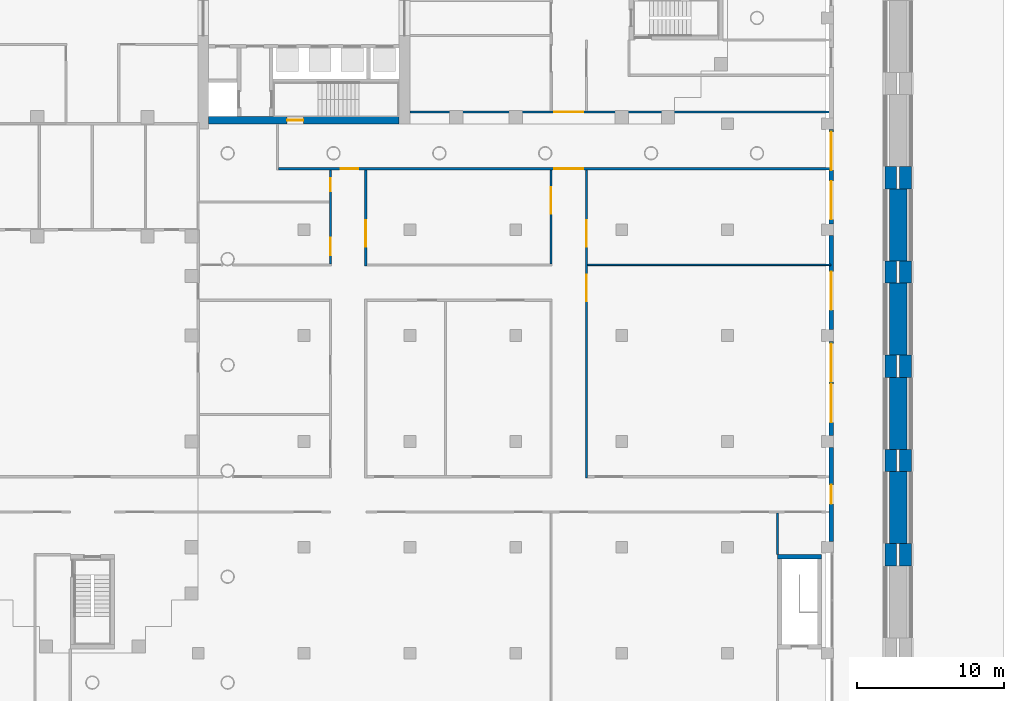
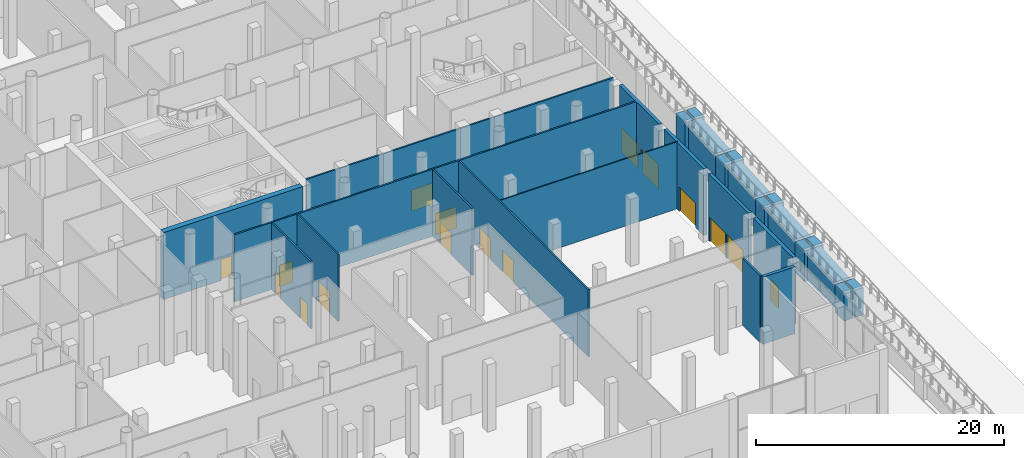
# One storey, part 20 of 44: 28 walls, 16 doors, 16 openings.
"""IFC4 building model written with IfcOpenShell, lengths in metres."""

from ifc_helpers import new_model, si_unit, direction, frame, frame_2d, origin, place, context, subcontext, project, spatial, polyline, rectangle, outline, extrude, material, layer, layer_set, type_object, element, fill, save


model = new_model("IFC4")

# Units and contexts
model_context = context("Model", 3, precision=1e-05, world=origin(), true_north=direction((0.0, 1.0)))
body_context = subcontext(model_context, "Body", "Model", "MODEL_VIEW")
ifc_project = project(units=[si_unit("LENGTHUNIT", "METRE"), si_unit("AREAUNIT", "SQUARE_METRE"), si_unit("VOLUMEUNIT", "CUBIC_METRE"), si_unit("PLANEANGLEUNIT", "RADIAN"), si_unit("MASSUNIT", "GRAM", prefix="KILO")], contexts=[model_context])

# Site, building, storey
site_placement = place(None, origin())
site = spatial("IfcSite", under=ifc_project, at=site_placement, CompositionType="ELEMENT")
building_placement = place(site_placement, origin())
building = spatial("IfcBuilding", under=site, at=building_placement, Name="Fustian Cross Tower", CompositionType="ELEMENT")
storey_placement = place(building_placement, origin())
storey = spatial("IfcBuildingStorey", under=building, at=storey_placement, Name="L00", CompositionType="ELEMENT", Elevation=0.0)

# Wall, openings, doors
ifc_material_1 = material(Name="Plasterboard on steel stud", Category="steel")
ifc_layer_1 = layer(ifc_material_1, 0.14990234375)
ifc_layer_set_1 = layer_set([ifc_layer_1], Name="Plasterboard on steel stud")
wall_type_1 = type_object("IfcWallType", Name="COMPARTMENT WALL 150 EI 60", PredefinedType="PARTITIONING", material=ifc_layer_set_1)
wall_1_placement = place(storey_placement, frame((12.675048828125, -10.25, 0.0), z_axis=(0.0, 0.0, 1.0), x_axis=(1.0, 0.0, 0.0)))
wall_1 = element("IfcWall", 1, at=wall_1_placement, inside=storey, type_object=wall_type_1, Name="Partition 106", PredefinedType="PARTITIONING", context=body_context, shape_type="SweptSolid", body=[
    extrude(rectangle(XDim=37.544921875, YDim=0.14990234375, at=frame_2d((18.7724609375, 0.0))), origin(), (0.0, 0.0, 1.0), 6.60009765625),
])
opening_1_placement = place(wall_1_placement, frame((4.22509765625, 0.0, 0.0)))
opening_1 = element("IfcOpeningElement", 2, at=opening_1_placement, cuts=wall_1, Name="Opening D02018", PredefinedType="OPENING", context=body_context, shape_type="SweptSolid", body=[
    extrude(rectangle(XDim=1.199951171875, YDim=2.10009765625, at=frame_2d((0.60009765625, 1.050048828125))), frame((0.0, 0.0849609375, 0.0), z_axis=(0.0, -1.0, 0.0), x_axis=(1.0, 0.0, 0.0)), (0.0, 0.0, 1.0), 0.169921875),
])
opening_2_placement = place(wall_1_placement, frame((18.72509765625, 0.0, 0.0)))
opening_2 = element("IfcOpeningElement", 3, at=opening_2_placement, cuts=wall_1, Name="Opening D02019", PredefinedType="OPENING", context=body_context, shape_type="SweptSolid", body=[
    extrude(rectangle(XDim=2.0, YDim=2.10009765625, at=frame_2d((1.0, 1.050048828125))), frame((0.0, 0.0849609375, 0.0), z_axis=(0.0, -1.0, 0.0), x_axis=(1.0, 0.0, 0.0)), (0.0, 0.0, 1.0), 0.169921875),
])
ifc_material_2 = material(Name="Timber fire door set", Category="wood")
door_type_1 = type_object("IfcDoorType", Name="FIRE DOUBLE DOOR 2000 FD30S", OperationType="DOUBLE_DOOR_DOUBLE_SWING", PredefinedType="DOOR", material=ifc_material_2)
door_1_placement = place(opening_2_placement, frame((2.0, 0.0, 0.0), z_axis=(0.0, 0.0, 1.0), x_axis=(-1.0, 0.0, 0.0)))
door_1 = element("IfcDoor", 4, at=door_1_placement, inside=storey, type_object=door_type_1, Name="Door D02019", OperationType="DOUBLE_DOOR_DOUBLE_SWING", OverallHeight=2.10009765625, OverallWidth=2.0, PredefinedType="DOOR", context=body_context, shape_type="SweptSolid", body=[
    extrude(rectangle(XDim=2.0, YDim=2.10009765625, at=frame_2d((1.0, 1.050048828125))), frame((0.0, 0.02490234375, 0.0), z_axis=(0.0, -1.0, 0.0), x_axis=(1.0, 0.0, 0.0)), (0.0, 0.0, 1.0), 0.050048828125),
])
fill(opening_2, door_1)
ifc_material_3 = material(Name="Timber fire door set", Category="wood")
door_type_2 = type_object("IfcDoorType", Name="FIRE SWING DOOR 1200 FD30S", OperationType="SINGLE_SWING_LEFT", PredefinedType="DOOR", material=ifc_material_3)
door_2_placement = place(opening_1_placement, frame((1.199951171875, 0.0, 0.0), z_axis=(0.0, 0.0, 1.0), x_axis=(-1.0, 0.0, 0.0)))
door_2 = element("IfcDoor", 5, at=door_2_placement, inside=storey, type_object=door_type_2, Name="Door D02018", OperationType="SINGLE_SWING_LEFT", OverallHeight=2.10009765625, OverallWidth=1.199951171875, PredefinedType="DOOR", context=body_context, shape_type="SweptSolid", body=[
    extrude(rectangle(XDim=1.199951171875, YDim=2.10009765625, at=frame_2d((0.60009765625, 1.050048828125))), frame((0.0, 0.02490234375, 0.0), z_axis=(0.0, -1.0, 0.0), x_axis=(1.0, 0.0, 0.0)), (0.0, 0.0, 1.0), 0.050048828125),
])
fill(opening_1, door_2)

wall_2_placement = place(storey_placement, frame((16.199951171875, -16.72509765625, 0.0), z_axis=(0.0, 0.0, 1.0), x_axis=(0.0, 1.0, 0.0)))
wall_2 = element("IfcWall", 6, at=wall_2_placement, inside=storey, type_object=wall_type_1, Name="Partition 110", PredefinedType="PARTITIONING", context=body_context, shape_type="SweptSolid", body=[
    extrude(rectangle(XDim=6.400146484375, YDim=0.14990234375, at=frame_2d((3.2001953125, 0.0))), origin(), (0.0, 0.0, 1.0), 6.60009765625),
])
opening_3_placement = place(wall_2_placement, frame((0.574951171875, 0.0, 0.0)))
opening_3 = element("IfcOpeningElement", 7, at=opening_3_placement, cuts=wall_2, Name="Opening D02117", PredefinedType="OPENING", context=body_context, shape_type="SweptSolid", body=[
    extrude(rectangle(XDim=1.199951171875, YDim=2.10009765625, at=frame_2d((0.60009765625, 1.050048828125))), frame((0.0, 0.0849609375, 0.0), z_axis=(0.0, -1.0, 0.0), x_axis=(1.0, 0.0, 0.0)), (0.0, 0.0, 1.0), 0.169921875),
])
opening_4_placement = place(wall_2_placement, frame((4.925048828125, 0.0, 0.0)))
opening_4 = element("IfcOpeningElement", 8, at=opening_4_placement, cuts=wall_2, Name="Opening D02118", PredefinedType="OPENING", context=body_context, shape_type="SweptSolid", body=[
    extrude(rectangle(XDim=0.89990234375, YDim=2.10009765625, at=frame_2d((0.449951171875, 1.050048828125))), frame((0.0, 0.0849609375, 0.0), z_axis=(0.0, -1.0, 0.0), x_axis=(1.0, 0.0, 0.0)), (0.0, 0.0, 1.0), 0.169921875),
])
door_3_placement = place(opening_3_placement, origin())
door_3 = element("IfcDoor", 9, at=door_3_placement, inside=storey, type_object=door_type_2, Name="Door D02117", OperationType="SINGLE_SWING_LEFT", OverallHeight=2.10009765625, OverallWidth=1.199951171875, PredefinedType="DOOR", context=body_context, shape_type="SweptSolid", body=[
    extrude(rectangle(XDim=1.199951171875, YDim=2.10009765625, at=frame_2d((0.60009765625, 1.050048828125))), frame((0.0, 0.02490234375, 0.0), z_axis=(0.0, -1.0, 0.0), x_axis=(1.0, 0.0, 0.0)), (0.0, 0.0, 1.0), 0.050048828125),
])
fill(opening_3, door_3)
ifc_material_4 = material(Name="Timber fire door set", Category="wood")
door_type_3 = type_object("IfcDoorType", Name="FIRE SWING DOOR 900 FD30S", OperationType="SINGLE_SWING_LEFT", PredefinedType="DOOR", material=ifc_material_4)
door_4_placement = place(opening_4_placement, origin())
door_4 = element("IfcDoor", 10, at=door_4_placement, inside=storey, type_object=door_type_3, Name="Door D02118", OperationType="SINGLE_SWING_RIGHT", OverallHeight=2.10009765625, OverallWidth=0.89990234375, PredefinedType="DOOR", context=body_context, shape_type="SweptSolid", body=[
    extrude(rectangle(XDim=0.89990234375, YDim=2.10009765625, at=frame_2d((0.449951171875, 1.050048828125))), frame((0.0, 0.02490234375, 0.0), z_axis=(0.0, -1.0, 0.0), x_axis=(1.0, 0.0, 0.0)), (0.0, 0.0, 1.0), 0.050048828125),
])
fill(opening_4, door_4)

# Wall, opening, door
wall_3_placement = place(storey_placement, frame((18.60009765625, -16.875, 0.0), z_axis=(0.0, 0.0, 1.0), x_axis=(0.0, 1.0, 0.0)))
wall_3 = element("IfcWall", 11, at=wall_3_placement, inside=storey, type_object=wall_type_1, Name="Partition 118", PredefinedType="PARTITIONING", context=body_context, shape_type="SweptSolid", body=[
    extrude(rectangle(XDim=6.550048828125, YDim=0.14990234375, at=frame_2d((3.27490234375, 0.0))), origin(), (0.0, 0.0, 1.0), 6.60009765625),
])
opening_5_placement = place(wall_3_placement, frame((1.324951171875, 0.0, 0.0)))
opening_5 = element("IfcOpeningElement", 12, at=opening_5_placement, cuts=wall_3, Name="Opening D02119", PredefinedType="OPENING", context=body_context, shape_type="SweptSolid", body=[
    extrude(rectangle(XDim=1.800048828125, YDim=2.10009765625, at=frame_2d((0.89990234375, 1.050048828125))), frame((0.0, 0.0849609375, 0.0), z_axis=(0.0, -1.0, 0.0), x_axis=(1.0, 0.0, 0.0)), (0.0, 0.0, 1.0), 0.169921875),
])
ifc_material_5 = material(Name="Timber fire door set", Category="wood")
door_type_4 = type_object("IfcDoorType", Name="FIRE DOUBLE DOOR 1800 FD30S", OperationType="DOUBLE_DOOR_DOUBLE_SWING", PredefinedType="DOOR", material=ifc_material_5)
door_5_placement = place(opening_5_placement, origin())
door_5 = element("IfcDoor", 13, at=door_5_placement, inside=storey, type_object=door_type_4, Name="Door D02119", OperationType="DOUBLE_DOOR_DOUBLE_SWING", OverallHeight=2.10009765625, OverallWidth=1.800048828125, PredefinedType="DOOR", context=body_context, shape_type="SweptSolid", body=[
    extrude(rectangle(XDim=1.800048828125, YDim=2.10009765625, at=frame_2d((0.89990234375, 1.050048828125))), frame((0.0, 0.02490234375, 0.0), z_axis=(0.0, -1.0, 0.0), x_axis=(1.0, 0.0, 0.0)), (0.0, 0.0, 1.0), 0.050048828125),
])
fill(opening_5, door_5)

wall_4_placement = place(storey_placement, frame((21.60009765625, -6.39990234375, 0.0), z_axis=(0.0, 0.0, 1.0), x_axis=(1.0, 0.0, 0.0)))
wall_4 = element("IfcWall", 14, at=wall_4_placement, inside=storey, type_object=wall_type_1, Name="Partition 127", PredefinedType="PARTITIONING", context=body_context, shape_type="SweptSolid", body=[
    extrude(rectangle(XDim=28.619873046875, YDim=0.14990234375, at=frame_2d((14.31005859375, 0.0))), origin(), (0.0, 0.0, 1.0), 6.60009765625),
])
opening_6_placement = place(wall_4_placement, frame((9.800048828125, 0.0, 0.0)))
opening_6 = element("IfcOpeningElement", 15, at=opening_6_placement, cuts=wall_4, Name="Opening D02020", PredefinedType="OPENING", context=body_context, shape_type="SweptSolid", body=[
    extrude(rectangle(XDim=2.0, YDim=2.10009765625, at=frame_2d((1.0, 1.050048828125))), frame((0.0, 0.0849609375, 0.0), z_axis=(0.0, -1.0, 0.0), x_axis=(1.0, 0.0, 0.0)), (0.0, 0.0, 1.0), 0.169921875),
])
door_6_placement = place(opening_6_placement, origin())
door_6 = element("IfcDoor", 16, at=door_6_placement, inside=storey, type_object=door_type_1, Name="Door D02020", OperationType="DOUBLE_DOOR_DOUBLE_SWING", OverallHeight=2.10009765625, OverallWidth=2.0, PredefinedType="DOOR", context=body_context, shape_type="SweptSolid", body=[
    extrude(rectangle(XDim=2.0, YDim=2.10009765625, at=frame_2d((1.0, 1.050048828125))), frame((0.0, 0.02490234375, 0.0), z_axis=(0.0, -1.0, 0.0), x_axis=(1.0, 0.0, 0.0)), (0.0, 0.0, 1.0), 0.050048828125),
])
fill(opening_6, door_6)

wall_5_placement = place(storey_placement, frame((31.199951171875, -16.72509765625, 0.0), z_axis=(0.0, 0.0, 1.0), x_axis=(0.0, 1.0, 0.0)))
wall_5 = element("IfcWall", 17, at=wall_5_placement, inside=storey, type_object=wall_type_1, Name="Partition 135", PredefinedType="PARTITIONING", context=body_context, shape_type="SweptSolid", body=[
    extrude(rectangle(XDim=6.400146484375, YDim=0.14990234375, at=frame_2d((3.2001953125, 0.0))), origin(), (0.0, 0.0, 1.0), 6.60009765625),
])
opening_7_placement = place(wall_5_placement, frame((3.425048828125, 0.0, 0.0)))
opening_7 = element("IfcOpeningElement", 18, at=opening_7_placement, cuts=wall_5, Name="Opening D02120", PredefinedType="OPENING", context=body_context, shape_type="SweptSolid", body=[
    extrude(rectangle(XDim=1.800048828125, YDim=2.10009765625, at=frame_2d((0.89990234375, 1.050048828125))), frame((0.0, 0.0849609375, 0.0), z_axis=(0.0, -1.0, 0.0), x_axis=(1.0, 0.0, 0.0)), (0.0, 0.0, 1.0), 0.169921875),
])
door_7_placement = place(opening_7_placement, frame((1.800048828125, 0.0, 0.0), z_axis=(0.0, 0.0, 1.0), x_axis=(-1.0, 0.0, 0.0)))
door_7 = element("IfcDoor", 19, at=door_7_placement, inside=storey, type_object=door_type_4, Name="Door D02120", OperationType="DOUBLE_DOOR_DOUBLE_SWING", OverallHeight=2.10009765625, OverallWidth=1.800048828125, PredefinedType="DOOR", context=body_context, shape_type="SweptSolid", body=[
    extrude(rectangle(XDim=1.800048828125, YDim=2.10009765625, at=frame_2d((0.89990234375, 1.050048828125))), frame((0.0, 0.02490234375, 0.0), z_axis=(0.0, -1.0, 0.0), x_axis=(1.0, 0.0, 0.0)), (0.0, 0.0, 1.0), 0.050048828125),
])
fill(opening_7, door_7)

# Wall, openings, doors
wall_6_placement = place(storey_placement, frame((33.60009765625, -31.27490234375, 0.0), z_axis=(0.0, 0.0, 1.0), x_axis=(0.0, 1.0, 0.0)))
wall_6 = element("IfcWall", 20, at=wall_6_placement, inside=storey, type_object=wall_type_1, Name="Partition 140", PredefinedType="PARTITIONING", context=body_context, shape_type="SweptSolid", body=[
    extrude(rectangle(XDim=20.949951171875, YDim=0.14990234375, at=frame_2d((10.47509765625, 0.0))), origin(), (0.0, 0.0, 1.0), 6.60009765625),
])
opening_8_placement = place(wall_6_placement, frame((15.72509765625, 0.0, 0.0)))
opening_8 = element("IfcOpeningElement", 21, at=opening_8_placement, cuts=wall_6, Name="Opening D02130", PredefinedType="OPENING", context=body_context, shape_type="SweptSolid", body=[
    extrude(rectangle(XDim=1.800048828125, YDim=2.10009765625, at=frame_2d((0.89990234375, 1.050048828125))), frame((0.0, 0.0849609375, 0.0), z_axis=(0.0, -1.0, 0.0), x_axis=(1.0, 0.0, 0.0)), (0.0, 0.0, 1.0), 0.169921875),
])
opening_9_placement = place(wall_6_placement, frame((12.02490234375, 0.0, 0.0)))
opening_9 = element("IfcOpeningElement", 22, at=opening_9_placement, cuts=wall_6, Name="Opening D02131", PredefinedType="OPENING", context=body_context, shape_type="SweptSolid", body=[
    extrude(rectangle(XDim=1.800048828125, YDim=2.10009765625, at=frame_2d((0.89990234375, 1.050048828125))), frame((0.0, 0.0849609375, 0.0), z_axis=(0.0, -1.0, 0.0), x_axis=(1.0, 0.0, 0.0)), (0.0, 0.0, 1.0), 0.169921875),
])
door_8_placement = place(opening_8_placement, origin())
door_8 = element("IfcDoor", 23, at=door_8_placement, inside=storey, type_object=door_type_4, Name="Door D02130", OperationType="DOUBLE_DOOR_DOUBLE_SWING", OverallHeight=2.10009765625, OverallWidth=1.800048828125, PredefinedType="DOOR", context=body_context, shape_type="SweptSolid", body=[
    extrude(rectangle(XDim=1.800048828125, YDim=2.10009765625, at=frame_2d((0.89990234375, 1.050048828125))), frame((0.0, 0.02490234375, 0.0), z_axis=(0.0, -1.0, 0.0), x_axis=(1.0, 0.0, 0.0)), (0.0, 0.0, 1.0), 0.050048828125),
])
fill(opening_8, door_8)
door_9_placement = place(opening_9_placement, origin())
door_9 = element("IfcDoor", 24, at=door_9_placement, inside=storey, type_object=door_type_4, Name="Door D02131", OperationType="DOUBLE_DOOR_DOUBLE_SWING", OverallHeight=2.10009765625, OverallWidth=1.800048828125, PredefinedType="DOOR", context=body_context, shape_type="SweptSolid", body=[
    extrude(rectangle(XDim=1.800048828125, YDim=2.10009765625, at=frame_2d((0.89990234375, 1.050048828125))), frame((0.0, 0.02490234375, 0.0), z_axis=(0.0, -1.0, 0.0), x_axis=(1.0, 0.0, 0.0)), (0.0, 0.0, 1.0), 0.050048828125),
])
fill(opening_9, door_9)

# Wall
wall_7_placement = place(storey_placement, frame((46.60009765625, -36.5, 0.0), z_axis=(0.0, 0.0, 1.0), x_axis=(0.0, 1.0, 0.0)))
element("IfcWall", 25, at=wall_7_placement, inside=storey, type_object=wall_type_1, Name="Partition 152", PredefinedType="PARTITIONING", context=body_context, shape_type="SweptSolid", body=[
    extrude(rectangle(XDim=2.824951171875, YDim=0.14990234375, at=frame_2d((1.41259765625, 0.0))), origin(), (0.0, 0.0, 1.0), 6.60009765625),
])

# Wall, opening, door
ifc_material_6 = material(Name="Concrete C80/95", Category="concrete")
ifc_layer_2 = layer(ifc_material_6, 0.5)
ifc_layer_set_2 = layer_set([ifc_layer_2], Name="Concrete C80/95")
wall_type_2 = type_object("IfcWallType", Name="CORE BASE WALL 500 C80/95", PredefinedType="SHEAR", material=ifc_layer_set_2)
wall_8_placement = place(storey_placement, frame((7.89990234375, -6.949951171875, 0.0), z_axis=(0.0, 0.0, 1.0), x_axis=(1.0, 0.0, 0.0)))
wall_8 = element("IfcWall", 26, at=wall_8_placement, inside=storey, type_object=wall_type_2, Name="Core facade wall", PredefinedType="SHEAR", context=body_context, shape_type="SweptSolid", body=[
    extrude(rectangle(XDim=12.9501953125, YDim=0.5, at=frame_2d((6.47509765625, 0.0))), origin(), (0.0, 0.0, 1.0), 6.60009765625),
])
opening_10_placement = place(wall_8_placement, frame((5.35009765625, 0.0, 0.0)))
opening_10 = element("IfcOpeningElement", 27, at=opening_10_placement, cuts=wall_8, Name="Opening CD-02-38", PredefinedType="OPENING", context=body_context, shape_type="SweptSolid", body=[
    extrude(rectangle(XDim=1.10009765625, YDim=2.10009765625, at=frame_2d((0.550048828125, 1.050048828125))), frame((0.0, 0.260009765625, 0.0), z_axis=(0.0, -1.0, 0.0), x_axis=(1.0, 0.0, 0.0)), (0.0, 0.0, 1.0), 0.52001953125),
])
ifc_material_7 = material(Name="Steel", Category="steel")
door_type_5 = type_object("IfcDoorType", Name="FIRE DOOR FD60S 1100X2100", OperationType="SINGLE_SWING_LEFT", PredefinedType="DOOR", material=ifc_material_7)
door_10_placement = place(opening_10_placement, frame((1.10009765625, 0.0, 0.0), z_axis=(0.0, 0.0, 1.0), x_axis=(-1.0, 0.0, 0.0)))
door_10 = element("IfcDoor", 28, at=door_10_placement, inside=storey, type_object=door_type_5, Name="Core door CD-02-38", OperationType="SINGLE_SWING_RIGHT", OverallHeight=2.10009765625, OverallWidth=1.10009765625, PredefinedType="DOOR", context=body_context, shape_type="SweptSolid", body=[
    extrude(rectangle(XDim=1.10009765625, YDim=2.10009765625, at=frame_2d((0.550048828125, 1.050048828125))), frame((0.0, 0.02490234375, 0.0), z_axis=(0.0, -1.0, 0.0), x_axis=(1.0, 0.0, 0.0)), (0.0, 0.0, 1.0), 0.050048828125),
])
fill(opening_10, door_10)

ifc_material_8 = material(Name="Dark rainscreen cladding on blockwork", Category="masonry")
ifc_layer_3 = layer(ifc_material_8, 0.300048828125)
ifc_layer_set_3 = layer_set([ifc_layer_3], Name="Dark rainscreen cladding on blockwork")
wall_type_3 = type_object("IfcWallType", Name="EXTERNAL WALL 300 CLADDING", PredefinedType="SOLIDWALL", material=ifc_layer_set_3)
wall_9_placement = place(storey_placement, frame((50.25, -35.60009765625, 0.0), z_axis=(0.0, 0.0, 1.0), x_axis=(0.0, 1.0, 0.0)))
wall_9 = element("IfcWall", 29, at=wall_9_placement, inside=storey, type_object=wall_type_3, Name="External wall E3", PredefinedType="SOLIDWALL", context=body_context, shape_type="SweptSolid", body=[
    extrude(rectangle(XDim=6.400146484375, YDim=0.300048828125, at=frame_2d((3.2001953125, 0.0))), origin(), (0.0, 0.0, 1.0), 6.60009765625),
])
opening_11_placement = place(wall_9_placement, frame((2.550048828125, 0.0, 0.0)))
opening_11 = element("IfcOpeningElement", 30, at=opening_11_placement, cuts=wall_9, Name="Opening EDP16", PredefinedType="OPENING", context=body_context, shape_type="SweptSolid", body=[
    extrude(rectangle(XDim=1.300048828125, YDim=2.10009765625, at=frame_2d((0.64990234375, 1.050048828125))), frame((0.0, 0.159912109375, 0.0), z_axis=(0.0, -1.0, 0.0), x_axis=(1.0, 0.0, 0.0)), (0.0, 0.0, 1.0), 0.320068359375),
])
ifc_material_9 = material(Name="Aluminium and glass", Category="aluminium")
door_type_6 = type_object("IfcDoorType", Name="EXIT DOOR 1300", OperationType="SINGLE_SWING_LEFT", PredefinedType="DOOR", material=ifc_material_9)
door_11_placement = place(opening_11_placement, frame((1.300048828125, 0.0, 0.0), z_axis=(0.0, 0.0, 1.0), x_axis=(-1.0, 0.0, 0.0)))
door_11 = element("IfcDoor", 31, at=door_11_placement, inside=storey, type_object=door_type_6, Name="Exit door 16", OperationType="SINGLE_SWING_LEFT", OverallHeight=2.10009765625, OverallWidth=1.300048828125, PredefinedType="DOOR", context=body_context, shape_type="SweptSolid", body=[
    extrude(rectangle(XDim=1.300048828125, YDim=2.10009765625, at=frame_2d((0.64990234375, 1.050048828125))), frame((0.0, 0.02490234375, 0.0), z_axis=(0.0, -1.0, 0.0), x_axis=(1.0, 0.0, 0.0)), (0.0, 0.0, 1.0), 0.050048828125),
])
fill(opening_11, door_11)

# Wall, openings, doors
wall_10_placement = place(storey_placement, frame((50.25, -28.39990234375, 0.0), z_axis=(0.0, 0.0, 1.0), x_axis=(0.0, 1.0, 0.0)))
wall_10 = element("IfcWall", 32, at=wall_10_placement, inside=storey, type_object=wall_type_3, Name="External wall E4", PredefinedType="SOLIDWALL", context=body_context, shape_type="SweptSolid", body=[
    extrude(rectangle(XDim=6.39990234375, YDim=0.300048828125, at=frame_2d((3.199951171875, 0.0))), origin(), (0.0, 0.0, 1.0), 6.60009765625),
])
opening_12_placement = place(wall_10_placement, frame((0.89990234375, 0.0, 0.0)))
opening_12 = element("IfcOpeningElement", 33, at=opening_12_placement, cuts=wall_10, Name="Opening EDP17", PredefinedType="OPENING", context=body_context, shape_type="SweptSolid", body=[
    extrude(rectangle(XDim=2.60009765625, YDim=2.39990234375, at=frame_2d((1.300048828125, 1.199951171875))), frame((0.0, 0.159912109375, 0.0), z_axis=(0.0, -1.0, 0.0), x_axis=(1.0, 0.0, 0.0)), (0.0, 0.0, 1.0), 0.320068359375),
])
opening_13_placement = place(wall_10_placement, frame((3.64990234375, 0.0, 0.0)))
opening_13 = element("IfcOpeningElement", 34, at=opening_13_placement, cuts=wall_10, Name="Opening EDP18", PredefinedType="OPENING", context=body_context, shape_type="SweptSolid", body=[
    extrude(rectangle(XDim=2.60009765625, YDim=2.39990234375, at=frame_2d((1.300048828125, 1.199951171875))), frame((0.0, 0.159912109375, 0.0), z_axis=(0.0, -1.0, 0.0), x_axis=(1.0, 0.0, 0.0)), (0.0, 0.0, 1.0), 0.320068359375),
])
ifc_material_10 = material(Name="Aluminium and glass", Category="aluminium")
door_type_7 = type_object("IfcDoorType", Name="ENTRANCE DOOR 2600", OperationType="DOUBLE_DOOR_SINGLE_SWING", PredefinedType="DOOR", material=ifc_material_10)
door_12_placement = place(opening_12_placement, frame((2.60009765625, 0.0, 0.0), z_axis=(0.0, 0.0, 1.0), x_axis=(-1.0, 0.0, 0.0)))
door_12 = element("IfcDoor", 35, at=door_12_placement, inside=storey, type_object=door_type_7, Name="Exit door 17", OperationType="DOUBLE_DOOR_DOUBLE_SWING", OverallHeight=2.39990234375, OverallWidth=2.60009765625, PredefinedType="DOOR", context=body_context, shape_type="SweptSolid", body=[
    extrude(rectangle(XDim=2.60009765625, YDim=2.39990234375, at=frame_2d((1.300048828125, 1.199951171875))), frame((0.0, 0.02490234375, 0.0), z_axis=(0.0, -1.0, 0.0), x_axis=(1.0, 0.0, 0.0)), (0.0, 0.0, 1.0), 0.050048828125),
])
fill(opening_12, door_12)
door_13_placement = place(opening_13_placement, frame((2.60009765625, 0.0, 0.0), z_axis=(0.0, 0.0, 1.0), x_axis=(-1.0, 0.0, 0.0)))
door_13 = element("IfcDoor", 36, at=door_13_placement, inside=storey, type_object=door_type_7, Name="Exit door 18", OperationType="DOUBLE_DOOR_DOUBLE_SWING", OverallHeight=2.39990234375, OverallWidth=2.60009765625, PredefinedType="DOOR", context=body_context, shape_type="SweptSolid", body=[
    extrude(rectangle(XDim=2.60009765625, YDim=2.39990234375, at=frame_2d((1.300048828125, 1.199951171875))), frame((0.0, 0.02490234375, 0.0), z_axis=(0.0, -1.0, 0.0), x_axis=(1.0, 0.0, 0.0)), (0.0, 0.0, 1.0), 0.050048828125),
])
fill(opening_13, door_13)

# Wall, opening, door
wall_11_placement = place(storey_placement, frame((50.25, -21.199951171875, 0.0), z_axis=(0.0, 0.0, 1.0), x_axis=(0.0, 1.0, 0.0)))
wall_11 = element("IfcWall", 37, at=wall_11_placement, inside=storey, type_object=wall_type_3, Name="External wall E5", PredefinedType="SOLIDWALL", context=body_context, shape_type="SweptSolid", body=[
    extrude(rectangle(XDim=6.39990234375, YDim=0.300048828125, at=frame_2d((3.199951171875, 0.0))), origin(), (0.0, 0.0, 1.0), 6.60009765625),
])
opening_14_placement = place(wall_11_placement, frame((1.35009765625, 0.0, 0.0)))
opening_14 = element("IfcOpeningElement", 38, at=opening_14_placement, cuts=wall_11, Name="Opening EDP19", PredefinedType="OPENING", context=body_context, shape_type="SweptSolid", body=[
    extrude(rectangle(XDim=2.60009765625, YDim=2.39990234375, at=frame_2d((1.300048828125, 1.199951171875))), frame((0.0, 0.159912109375, 0.0), z_axis=(0.0, -1.0, 0.0), x_axis=(1.0, 0.0, 0.0)), (0.0, 0.0, 1.0), 0.320068359375),
])
door_14_placement = place(opening_14_placement, frame((2.60009765625, 0.0, 0.0), z_axis=(0.0, 0.0, 1.0), x_axis=(-1.0, 0.0, 0.0)))
door_14 = element("IfcDoor", 39, at=door_14_placement, inside=storey, type_object=door_type_7, Name="Exit door 19", OperationType="DOUBLE_DOOR_DOUBLE_SWING", OverallHeight=2.39990234375, OverallWidth=2.60009765625, PredefinedType="DOOR", context=body_context, shape_type="SweptSolid", body=[
    extrude(rectangle(XDim=2.60009765625, YDim=2.39990234375, at=frame_2d((1.300048828125, 1.199951171875))), frame((0.0, 0.02490234375, 0.0), z_axis=(0.0, -1.0, 0.0), x_axis=(1.0, 0.0, 0.0)), (0.0, 0.0, 1.0), 0.050048828125),
])
fill(opening_14, door_14)

# Wall, openings, doors
wall_12_placement = place(storey_placement, frame((50.25, -14.0, 0.0), z_axis=(0.0, 0.0, 1.0), x_axis=(0.0, 1.0, 0.0)))
wall_12 = element("IfcWall", 40, at=wall_12_placement, inside=storey, type_object=wall_type_3, Name="External wall E6", PredefinedType="SOLIDWALL", context=body_context, shape_type="SweptSolid", body=[
    extrude(rectangle(XDim=6.39990234375, YDim=0.300048828125, at=frame_2d((3.199951171875, 0.0))), origin(), (0.0, 0.0, 1.0), 6.60009765625),
])
opening_15_placement = place(wall_12_placement, frame((0.300048828125, 0.0, 0.0)))
opening_15 = element("IfcOpeningElement", 41, at=opening_15_placement, cuts=wall_12, Name="Opening EDP20", PredefinedType="OPENING", context=body_context, shape_type="SweptSolid", body=[
    extrude(rectangle(XDim=2.60009765625, YDim=2.39990234375, at=frame_2d((1.300048828125, 1.199951171875))), frame((0.0, 0.159912109375, 0.0), z_axis=(0.0, -1.0, 0.0), x_axis=(1.0, 0.0, 0.0)), (0.0, 0.0, 1.0), 0.320068359375),
])
opening_16_placement = place(wall_12_placement, frame((3.64990234375, 0.0, 0.0)))
opening_16 = element("IfcOpeningElement", 42, at=opening_16_placement, cuts=wall_12, Name="Opening EDP21", PredefinedType="OPENING", context=body_context, shape_type="SweptSolid", body=[
    extrude(rectangle(XDim=2.60009765625, YDim=2.39990234375, at=frame_2d((1.300048828125, 1.199951171875))), frame((0.0, 0.159912109375, 0.0), z_axis=(0.0, -1.0, 0.0), x_axis=(1.0, 0.0, 0.0)), (0.0, 0.0, 1.0), 0.320068359375),
])
door_15_placement = place(opening_15_placement, frame((2.60009765625, 0.0, 0.0), z_axis=(0.0, 0.0, 1.0), x_axis=(-1.0, 0.0, 0.0)))
door_15 = element("IfcDoor", 43, at=door_15_placement, inside=storey, type_object=door_type_7, Name="Exit door 20", OperationType="DOUBLE_DOOR_DOUBLE_SWING", OverallHeight=2.39990234375, OverallWidth=2.60009765625, PredefinedType="DOOR", context=body_context, shape_type="SweptSolid", body=[
    extrude(rectangle(XDim=2.60009765625, YDim=2.39990234375, at=frame_2d((1.300048828125, 1.199951171875))), frame((0.0, 0.02490234375, 0.0), z_axis=(0.0, -1.0, 0.0), x_axis=(1.0, 0.0, 0.0)), (0.0, 0.0, 1.0), 0.050048828125),
])
fill(opening_15, door_15)
door_16_placement = place(opening_16_placement, frame((2.60009765625, 0.0, 0.0), z_axis=(0.0, 0.0, 1.0), x_axis=(-1.0, 0.0, 0.0)))
door_16 = element("IfcDoor", 44, at=door_16_placement, inside=storey, type_object=door_type_7, Name="Exit door 21", OperationType="DOUBLE_DOOR_DOUBLE_SWING", OverallHeight=2.39990234375, OverallWidth=2.60009765625, PredefinedType="DOOR", context=body_context, shape_type="SweptSolid", body=[
    extrude(rectangle(XDim=2.60009765625, YDim=2.39990234375, at=frame_2d((1.300048828125, 1.199951171875))), frame((0.0, 0.02490234375, 0.0), z_axis=(0.0, -1.0, 0.0), x_axis=(1.0, 0.0, 0.0)), (0.0, 0.0, 1.0), 0.050048828125),
])
fill(opening_16, door_16)

# Walls
ifc_material_11 = material(Name="Plasterboard on steel stud", Category="steel")
ifc_layer_4 = layer(ifc_material_11, 0.10009765625)
ifc_layer_set_4 = layer_set([ifc_layer_4], Name="Plasterboard on steel stud")
wall_type_4 = type_object("IfcWallType", Name="PARTITION 100 STUD", PredefinedType="PARTITIONING", material=ifc_layer_set_4)
wall_13_placement = place(storey_placement, frame((33.675048828125, -16.800048828125, 0.0), z_axis=(0.0, 0.0, 1.0), x_axis=(1.0, 0.0, 0.0)))
element("IfcWall", 45, at=wall_13_placement, inside=storey, type_object=wall_type_4, Name="Partition 142", PredefinedType="PARTITIONING", context=body_context, shape_type="SweptSolid", body=[
    extrude(rectangle(XDim=16.544921875, YDim=0.10009765625, at=frame_2d((8.2724609375, 0.0))), origin(), (0.0, 0.0, 1.0), 6.60009765625),
])
ifc_material_12 = material(Name="Concrete C40/50", Category="concrete")
ifc_layer_5 = layer(ifc_material_12, 1.199951171875)
ifc_layer_set_5 = layer_set([ifc_layer_5], Name="Concrete C40/50")
wall_type_5 = type_object("IfcWallType", Name="RAMP BANK WALL 1200", PredefinedType="SOLIDWALL", material=ifc_layer_set_5)
wall_14_placement = place(storey_placement, frame((54.800048828125, -35.754638671875, 0.0), z_axis=(0.0, 0.0, 1.0), x_axis=(0.0, 1.0, 0.0)))
element("IfcWall", 46, at=wall_14_placement, inside=storey, type_object=wall_type_5, Name="Ramp bank wall 10", PredefinedType="SOLIDWALL", context=body_context, shape_type="SweptSolid", body=[
    extrude(outline(polyline([(0.0, 0.0), (4.9091796875, 0.0), (4.9091796875, 3.022216796875), (0.0, 2.69482421875), (0.0, 0.0)])), frame((0.0, 0.60009765625, 0.0), z_axis=(0.0, -1.0, 0.0), x_axis=(1.0, 0.0, 0.0)), (0.0, 0.0, 1.0), 1.199951171875),
])
wall_15_placement = place(storey_placement, frame((54.800048828125, -29.345458984375, 0.0), z_axis=(0.0, 0.0, 1.0), x_axis=(0.0, 1.0, 0.0)))
element("IfcWall", 47, at=wall_15_placement, inside=storey, type_object=wall_type_5, Name="Ramp bank wall 11", PredefinedType="SOLIDWALL", context=body_context, shape_type="SweptSolid", body=[
    extrude(outline(polyline([(0.0, 0.0), (4.9091796875, 0.0), (4.9091796875, 3.349365234375), (0.0, 3.022216796875), (0.0, 0.0)])), frame((0.0, 0.60009765625, 0.0), z_axis=(0.0, -1.0, 0.0), x_axis=(1.0, 0.0, 0.0)), (0.0, 0.0, 1.0), 1.199951171875),
])
wall_16_placement = place(storey_placement, frame((54.800048828125, -22.936279296875, 0.0), z_axis=(0.0, 0.0, 1.0), x_axis=(0.0, 1.0, 0.0)))
element("IfcWall", 48, at=wall_16_placement, inside=storey, type_object=wall_type_5, Name="Ramp bank wall 12", PredefinedType="SOLIDWALL", context=body_context, shape_type="SweptSolid", body=[
    extrude(outline(polyline([(0.0, 0.0), (4.908935546875, 0.0), (4.9091796875, 3.6767578125), (0.0, 3.349365234375), (0.0, 0.0)])), frame((0.0, 0.60009765625, 0.0), z_axis=(0.0, -1.0, 0.0), x_axis=(1.0, 0.0, 0.0)), (0.0, 0.0, 1.0), 1.199951171875),
])
wall_17_placement = place(storey_placement, frame((54.800048828125, -16.52734375, 0.0), z_axis=(0.0, 0.0, 1.0), x_axis=(0.0, 1.0, 0.0)))
element("IfcWall", 49, at=wall_17_placement, inside=storey, type_object=wall_type_5, Name="Ramp bank wall 13", PredefinedType="SOLIDWALL", context=body_context, shape_type="SweptSolid", body=[
    extrude(outline(polyline([(0.0, 0.0), (4.9091796875, 0.0), (4.9091796875, 4.00390625), (0.0, 3.6767578125), (0.0, 0.0)])), frame((0.0, 0.60009765625, 0.0), z_axis=(0.0, -1.0, 0.0), x_axis=(1.0, 0.0, 0.0)), (0.0, 0.0, 1.0), 1.199951171875),
])
ifc_material_13 = material(Name="Concrete C40/50", Category="concrete")
ifc_layer_6 = layer(ifc_material_13, 0.800048828125)
ifc_layer_set_6 = layer_set([ifc_layer_6], Name="Concrete C40/50")
wall_type_6 = type_object("IfcWallType", Name="RAMP LANDING PIER 800", PredefinedType="SOLIDWALL", material=ifc_layer_set_6)
for number, where, z_axis, x_axis, name in (
    (50, (54.300048828125, -37.254638671875, 0.0), (0.0, 0.0, 1.0), (0.0, 1.0, 0.0), "Ramp landing pier 9W"),
    (51, (55.300048828125, -37.254638671875, 0.0), (0.0, 0.0, 1.0), (0.0, 1.0, 0.0), "Ramp landing pier 9E"),
):
    element("IfcWall", number, at=place(storey_placement, frame(where, z_axis=z_axis, x_axis=x_axis)), inside=storey, type_object=wall_type_6, Name=name, PredefinedType="SOLIDWALL", context=body_context, shape_type="SweptSolid", body=[
        extrude(rectangle(XDim=1.5, YDim=0.800048828125, at=frame_2d((0.75, 0.0))), origin(), (0.0, 0.0, 1.0), 2.695556640625),
    ])
for number, where, z_axis, x_axis, name in (
    (52, (54.300048828125, -30.845458984375, 0.0), (0.0, 0.0, 1.0), (0.0, 1.0, 0.0), "Ramp landing pier 10W"),
    (53, (55.300048828125, -30.845458984375, 0.0), (0.0, 0.0, 1.0), (0.0, 1.0, 0.0), "Ramp landing pier 10E"),
):
    element("IfcWall", number, at=place(storey_placement, frame(where, z_axis=z_axis, x_axis=x_axis)), inside=storey, type_object=wall_type_6, Name=name, PredefinedType="SOLIDWALL", context=body_context, shape_type="SweptSolid", body=[
        extrude(rectangle(XDim=1.5, YDim=0.800048828125, at=frame_2d((0.75, 0.0))), origin(), (0.0, 0.0, 1.0), 3.022705078125),
    ])
for number, where, z_axis, x_axis, name in (
    (54, (54.300048828125, -24.436279296875, 0.0), (0.0, 0.0, 1.0), (0.0, 1.0, 0.0), "Ramp landing pier 11W"),
    (55, (55.300048828125, -24.436279296875, 0.0), (0.0, 0.0, 1.0), (0.0, 1.0, 0.0), "Ramp landing pier 11E"),
):
    element("IfcWall", number, at=place(storey_placement, frame(where, z_axis=z_axis, x_axis=x_axis)), inside=storey, type_object=wall_type_6, Name=name, PredefinedType="SOLIDWALL", context=body_context, shape_type="SweptSolid", body=[
        extrude(rectangle(XDim=1.5, YDim=0.800048828125, at=frame_2d((0.75, 0.0))), origin(), (0.0, 0.0, 1.0), 3.35009765625),
    ])
for number, where, z_axis, x_axis, name in (
    (56, (54.300048828125, -18.02734375, 0.0), (0.0, 0.0, 1.0), (0.0, 1.0, 0.0), "Ramp landing pier 12W"),
    (57, (55.300048828125, -18.02734375, 0.0), (0.0, 0.0, 1.0), (0.0, 1.0, 0.0), "Ramp landing pier 12E"),
):
    element("IfcWall", number, at=place(storey_placement, frame(where, z_axis=z_axis, x_axis=x_axis)), inside=storey, type_object=wall_type_6, Name=name, PredefinedType="SOLIDWALL", context=body_context, shape_type="SweptSolid", body=[
        extrude(rectangle(XDim=1.5, YDim=0.800048828125, at=frame_2d((0.75, 0.0))), origin(), (0.0, 0.0, 1.0), 3.67724609375),
    ])
for number, where, z_axis, x_axis, name in (
    (58, (54.300048828125, -11.6181640625, 0.0), (0.0, 0.0, 1.0), (0.0, 1.0, 0.0), "Ramp landing pier 13W"),
    (59, (55.300048828125, -11.6181640625, 0.0), (0.0, 0.0, 1.0), (0.0, 1.0, 0.0), "Ramp landing pier 13E"),
):
    element("IfcWall", number, at=place(storey_placement, frame(where, z_axis=z_axis, x_axis=x_axis)), inside=storey, type_object=wall_type_6, Name=name, PredefinedType="SOLIDWALL", context=body_context, shape_type="SweptSolid", body=[
        extrude(rectangle(XDim=1.5, YDim=0.800048828125, at=frame_2d((0.75, 0.0))), origin(), (0.0, 0.0, 1.0), 4.004638671875),
    ])
ifc_material_14 = material(Name="Concrete C50/60", Category="concrete")
ifc_layer_7 = layer(ifc_material_14, 0.300048828125)
ifc_layer_set_7 = layer_set([ifc_layer_7], Name="Concrete C50/60")
wall_type_7 = type_object("IfcWallType", Name="STAIR ENCLOSURE WALL 300 C50/60", PredefinedType="SHEAR", material=ifc_layer_set_7)
wall_18_placement = place(storey_placement, frame((46.60009765625, -36.64990234375, 0.0), z_axis=(0.0, 0.0, 1.0), x_axis=(1.0, 0.0, 0.0)))
element("IfcWall", 60, at=wall_18_placement, inside=storey, type_object=wall_type_7, Name="Stair enclosure wall", PredefinedType="SHEAR", context=body_context, shape_type="SweptSolid", body=[
    extrude(rectangle(XDim=3.0, YDim=0.300048828125, at=frame_2d((1.5, 0.0))), origin(), (0.0, 0.0, 1.0), 6.60009765625),
])

save(model, "model.ifc")
